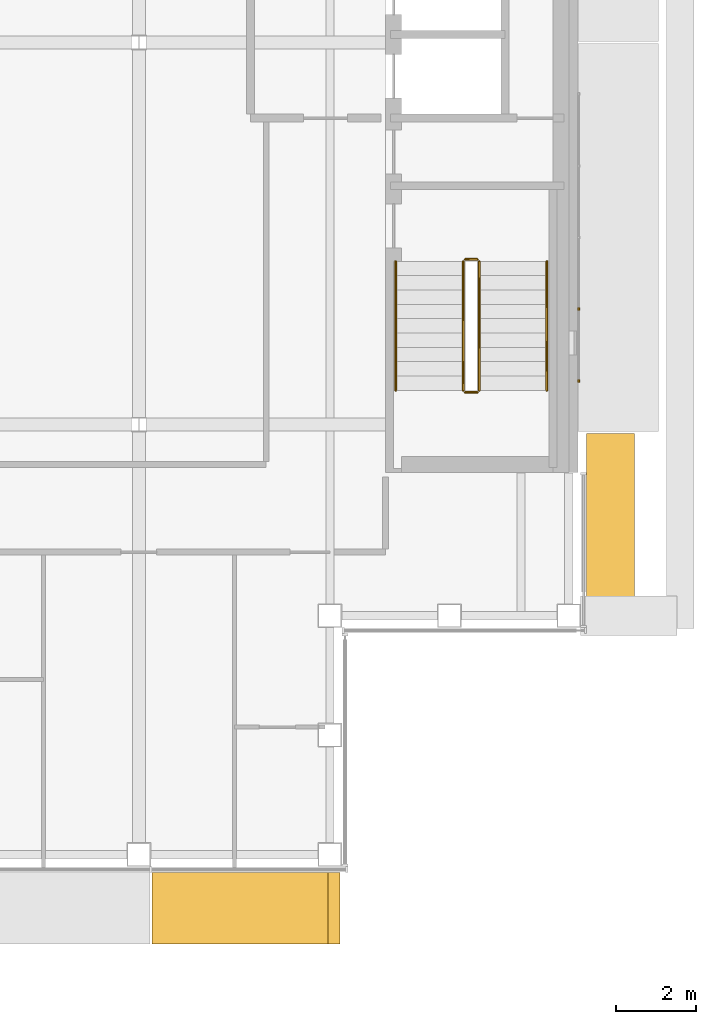
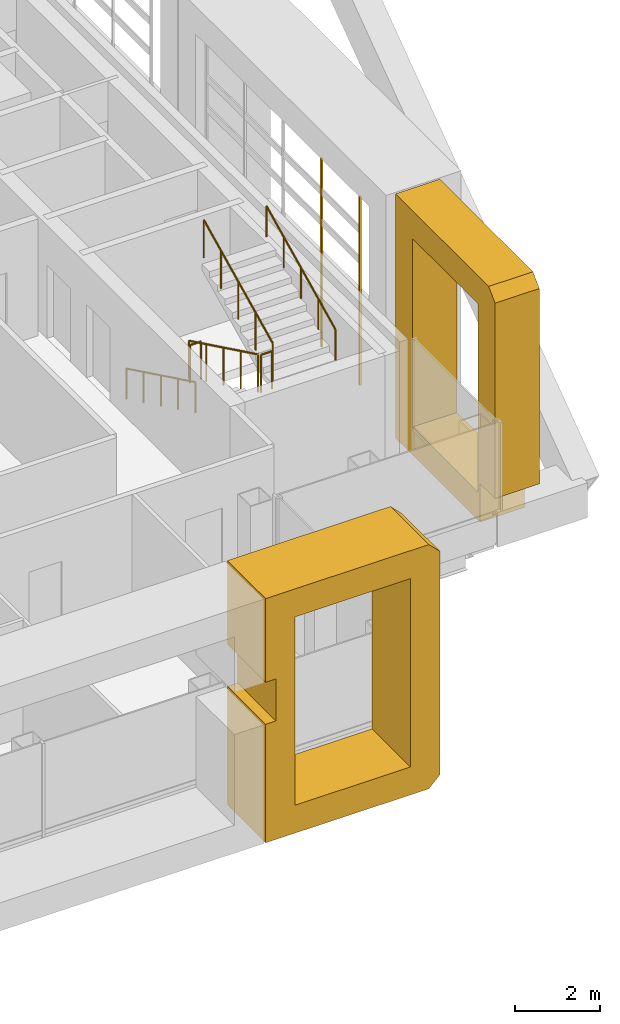
# One storey, part 19 of 23: 6 railings, 4 coverings.
"""IFC4 building model written with IfcOpenShell, lengths in metres."""

from ifc_helpers import new_model, si_unit, direction, frame, origin, origin_2d, place, context, subcontext, project, spatial, polyline, rectangle, circle, outline, extrude, material, type_object, element, save


model = new_model("IFC4")

# Units and contexts
model_context = context("Model", 3, precision=1e-05, world=origin(), true_north=direction((0.0, 1.0)))
body_context = subcontext(model_context, "Body", "Model", "MODEL_VIEW")
ifc_project = project(units=[si_unit("LENGTHUNIT", "METRE"), si_unit("AREAUNIT", "SQUARE_METRE"), si_unit("VOLUMEUNIT", "CUBIC_METRE"), si_unit("PLANEANGLEUNIT", "RADIAN"), si_unit("MASSUNIT", "GRAM", prefix="KILO")], contexts=[model_context])

# Site, building, storey
site_placement = place(None, origin())
site = spatial("IfcSite", under=ifc_project, at=site_placement, CompositionType="ELEMENT")
building_placement = place(site_placement, origin())
building = spatial("IfcBuilding", under=site, at=building_placement, Name="Cobrizo Arcos Hotel Tower", CompositionType="ELEMENT")
storey_placement = place(building_placement, frame((0.0, 0.0, 255.0)))
storey = spatial("IfcBuildingStorey", under=building, at=storey_placement, Name="L67", CompositionType="ELEMENT", Elevation=255.0)

# Coverings
ifc_material_1 = material(Name="Aluminium 6063-T6 anodised bronze", Category="aluminium")
covering_type_1 = type_object("IfcCoveringType", Name="FIN-F 1200", PredefinedType="CLADDING", material=ifc_material_1)
covering_1_placement = place(storey_placement, frame((20.85009765625, -14.5, 0.0), z_axis=(1.0, 0.0, 0.0), x_axis=(0.0, 1.0, 0.0)))
element("IfcCovering", 1, at=covering_1_placement, inside=storey, type_object=covering_type_1, Name="Fin frame 387", PredefinedType="CLADDING", context=body_context, shape_type="SweptSolid", body=[
    extrude(outline(polyline([(0.0, 6.699951171875), (0.0, 1.10205078125), (0.701904296875, 1.10205078125), (0.701904296875, 0.0), (4.675048828125, 0.0), (4.675048828125, 7.0), (0.300048828125, 7.0), (0.0, 6.699951171875)]), holes=[polyline([(3.875, 0.800048828125), (0.800048828125, 0.800048828125), (0.800048828125, 6.199951171875), (3.875, 6.199951171875), (3.875, 0.800048828125)])]), origin(), (0.0, 0.0, 1.0), 1.199951171875),
])
covering_type_2 = type_object("IfcCoveringType", Name="FIN-F 1800", PredefinedType="CLADDING", material=ifc_material_1)
covering_2_placement = place(storey_placement, frame((9.925048828125, -20.85009765625, 0.0), z_axis=(0.0, -1.0, 0.0), x_axis=(1.0, 0.0, 0.0)))
element("IfcCovering", 2, at=covering_2_placement, inside=storey, type_object=covering_type_2, Name="Fin frame 418", PredefinedType="CLADDING", context=body_context, shape_type="SweptSolid", body=[
    extrude(outline(polyline([(0.0, 7.0), (0.0, 4.60205078125), (0.277099609375, 4.60205078125), (0.277099609375, 3.39794921875), (0.0, 3.39794921875), (0.0, 0.0), (4.425048828125, 0.0), (4.72509765625, 0.300048828125), (4.72509765625, 6.699951171875), (4.425048828125, 7.0), (0.0, 7.0)]), holes=[polyline([(3.925048828125, 0.800048828125), (0.800048828125, 0.800048828125), (0.800048828125, 6.199951171875), (3.925048828125, 6.199951171875), (3.925048828125, 0.800048828125)])]), origin(), (0.0, 0.0, 1.0), 1.7998046875),
])
ifc_material_2 = material(Name="Aluminium 6063-T6 anodised pale", Category="aluminium")
covering_type_3 = type_object("IfcCoveringType", Name="RS-2 rainscreen rib 60x50", PredefinedType="CLADDING", material=ifc_material_2)
for number, where, z_axis, x_axis, name in (
    (3, (20.64990234375, -8.5, 0.800048828125), (0.0, 0.0, 1.0), (0.0, 1.0, 0.0), "Rainscreen rib 261"),
    (4, (20.64990234375, -6.699951171875, 0.800048828125), (0.0, 0.0, 1.0), (0.0, 1.0, 0.0), "Rainscreen rib 262"),
):
    element("IfcCovering", number, at=place(storey_placement, frame(where, z_axis=z_axis, x_axis=x_axis)), inside=storey, type_object=covering_type_3, Name=name, PredefinedType="CLADDING", context=body_context, shape_type="SweptSolid", body=[
        extrude(rectangle(XDim=0.06005859375, YDim=0.050048828125, at=origin_2d()), origin(), (0.0, 0.0, 1.0), 5.39990234375),
    ])

# Railings
ifc_material_3 = material(Name="Stainless steel railing", Category="steel")
railing_type_1 = type_object("IfcRailingType", Name="Stair guard 1100", PredefinedType="GUARDRAIL", material=ifc_material_3)
railing_1_placement = place(storey_placement, frame((17.75, -5.5, 0.175048828125)))
element("IfcRailing", 5, at=railing_1_placement, inside=storey, type_object=railing_type_1, Name="L67 ST-E stair guard 1", PredefinedType="GUARDRAIL", context=body_context, shape_type="SweptSolid", body=[
    extrude(circle(Radius=0.02392578125, at=origin_2d()), frame((0.0, 0.0, 1.076171875), z_axis=(0.0, -0.899372665325, 0.437182809435), x_axis=(1.0, 0.0, 0.0)), (0.0, 0.0, 1.0), 3.6025390625),
    extrude(circle(Radius=0.02099609375, at=origin_2d()), origin(), (0.0, 0.0, 1.0), 1.052001953125),
    extrude(circle(Radius=0.02099609375, at=origin_2d()), frame((0.0, -0.81005859375, 0.393798828125)), (0.0, 0.0, 1.0), 1.052001953125),
    extrude(circle(Radius=0.02099609375, at=origin_2d()), frame((0.0, -1.6201171875, 0.78759765625)), (0.0, 0.0, 1.0), 1.052001953125),
    extrude(circle(Radius=0.02099609375, at=origin_2d()), frame((0.0, -2.429931640625, 1.18115234375)), (0.0, 0.0, 1.0), 1.052001953125),
    extrude(circle(Radius=0.02099609375, at=origin_2d()), frame((0.0, -3.239990234375, 1.574951171875)), (0.0, 0.0, 1.0), 1.052001953125),
])
railing_2_placement = place(storey_placement, frame((17.800048828125, -8.7900390625, 1.75)))
element("IfcRailing", 6, at=railing_2_placement, inside=storey, type_object=railing_type_1, Name="L67 ST-E stair guard 2", PredefinedType="GUARDRAIL", context=body_context, shape_type="SweptSolid", body=[
    extrude(circle(Radius=0.02392578125, at=origin_2d()), frame((0.0, 0.0, 1.076171875), z_axis=(1.0, 0.0, 0.0), x_axis=(0.0, 1.0, 0.0)), (0.0, 0.0, 1.0), 0.300048828125),
    extrude(circle(Radius=0.02099609375, at=origin_2d()), origin(), (0.0, 0.0, 1.0), 1.052001953125),
    extrude(circle(Radius=0.02099609375, at=origin_2d()), frame((0.300048828125, 0.0, 0.0)), (0.0, 0.0, 1.0), 1.052001953125),
])
railing_3_placement = place(storey_placement, frame((18.14990234375, -8.739990234375, 1.925048828125)))
element("IfcRailing", 7, at=railing_3_placement, inside=storey, type_object=railing_type_1, Name="L67 ST-E stair guard 3", PredefinedType="GUARDRAIL", context=body_context, shape_type="SweptSolid", body=[
    extrude(circle(Radius=0.02392578125, at=origin_2d()), frame((0.0, 0.0, 1.076171875), z_axis=(0.0, 0.899372665325, 0.437182809435), x_axis=(-1.0, 0.0, 0.0)), (0.0, 0.0, 1.0), 3.6025390625),
    extrude(circle(Radius=0.02099609375, at=origin_2d()), origin(), (0.0, 0.0, 1.0), 1.052001953125),
    extrude(circle(Radius=0.02099609375, at=origin_2d()), frame((0.0, 0.81005859375, 0.393798828125)), (0.0, 0.0, 1.0), 1.052001953125),
    extrude(circle(Radius=0.02099609375, at=origin_2d()), frame((0.0, 1.6201171875, 0.78759765625)), (0.0, 0.0, 1.0), 1.052001953125),
    extrude(circle(Radius=0.02099609375, at=origin_2d()), frame((0.0, 2.429931640625, 1.18115234375)), (0.0, 0.0, 1.0), 1.052001953125),
    extrude(circle(Radius=0.02099609375, at=origin_2d()), frame((0.0, 3.239990234375, 1.574951171875)), (0.0, 0.0, 1.0), 1.052001953125),
])
railing_4_placement = place(storey_placement, frame((17.800048828125, -5.449951171875, 0.0)))
element("IfcRailing", 8, at=railing_4_placement, inside=storey, type_object=railing_type_1, Name="L67 ST-E stair guard 4", PredefinedType="GUARDRAIL", context=body_context, shape_type="SweptSolid", body=[
    extrude(circle(Radius=0.02392578125, at=origin_2d()), frame((0.0, 0.0, 1.076171875), z_axis=(1.0, 0.0, 0.0), x_axis=(0.0, 1.0, 0.0)), (0.0, 0.0, 1.0), 0.300048828125),
    extrude(circle(Radius=0.02099609375, at=origin_2d()), origin(), (0.0, 0.0, 1.0), 1.052001953125),
    extrude(circle(Radius=0.02099609375, at=origin_2d()), frame((0.300048828125, 0.0, 0.0)), (0.0, 0.0, 1.0), 1.052001953125),
])
railing_type_2 = type_object("IfcRailingType", Name="Stair handrail", PredefinedType="HANDRAIL", material=ifc_material_3)
railing_5_placement = place(storey_placement, frame((16.050048828125, -5.5, 0.175048828125)))
element("IfcRailing", 9, at=railing_5_placement, inside=storey, type_object=railing_type_2, Name="L67 ST-E stair handrail 1", PredefinedType="HANDRAIL", context=body_context, shape_type="SweptSolid", body=[
    extrude(circle(Radius=0.02392578125, at=origin_2d()), frame((0.0, 0.0, 0.8759765625), z_axis=(0.0, -0.899372665325, 0.437182809435), x_axis=(1.0, 0.0, 0.0)), (0.0, 0.0, 1.0), 3.6025390625),
    extrude(circle(Radius=0.02099609375, at=origin_2d()), origin(), (0.0, 0.0, 1.0), 0.851806640625),
    extrude(circle(Radius=0.02099609375, at=origin_2d()), frame((0.0, -0.81005859375, 0.393798828125)), (0.0, 0.0, 1.0), 0.851806640625),
    extrude(circle(Radius=0.02099609375, at=origin_2d()), frame((0.0, -1.6201171875, 0.78759765625)), (0.0, 0.0, 1.0), 0.851806640625),
    extrude(circle(Radius=0.02099609375, at=origin_2d()), frame((0.0, -2.429931640625, 1.18115234375)), (0.0, 0.0, 1.0), 0.851806640625),
    extrude(circle(Radius=0.02099609375, at=origin_2d()), frame((0.0, -3.239990234375, 1.574951171875)), (0.0, 0.0, 1.0), 0.851806640625),
])
railing_6_placement = place(storey_placement, frame((19.85009765625, -8.739990234375, 1.925048828125)))
element("IfcRailing", 10, at=railing_6_placement, inside=storey, type_object=railing_type_2, Name="L67 ST-E stair handrail 2", PredefinedType="HANDRAIL", context=body_context, shape_type="SweptSolid", body=[
    extrude(circle(Radius=0.02392578125, at=origin_2d()), frame((0.0, 0.0, 0.8759765625), z_axis=(0.0, 0.899372665325, 0.437182809435), x_axis=(-1.0, 0.0, 0.0)), (0.0, 0.0, 1.0), 3.6025390625),
    extrude(circle(Radius=0.02099609375, at=origin_2d()), origin(), (0.0, 0.0, 1.0), 0.851806640625),
    extrude(circle(Radius=0.02099609375, at=origin_2d()), frame((0.0, 0.81005859375, 0.393798828125)), (0.0, 0.0, 1.0), 0.851806640625),
    extrude(circle(Radius=0.02099609375, at=origin_2d()), frame((0.0, 1.6201171875, 0.78759765625)), (0.0, 0.0, 1.0), 0.851806640625),
    extrude(circle(Radius=0.02099609375, at=origin_2d()), frame((0.0, 2.429931640625, 1.18115234375)), (0.0, 0.0, 1.0), 0.851806640625),
    extrude(circle(Radius=0.02099609375, at=origin_2d()), frame((0.0, 3.239990234375, 1.574951171875)), (0.0, 0.0, 1.0), 0.851806640625),
])

save(model, "model.ifc")
